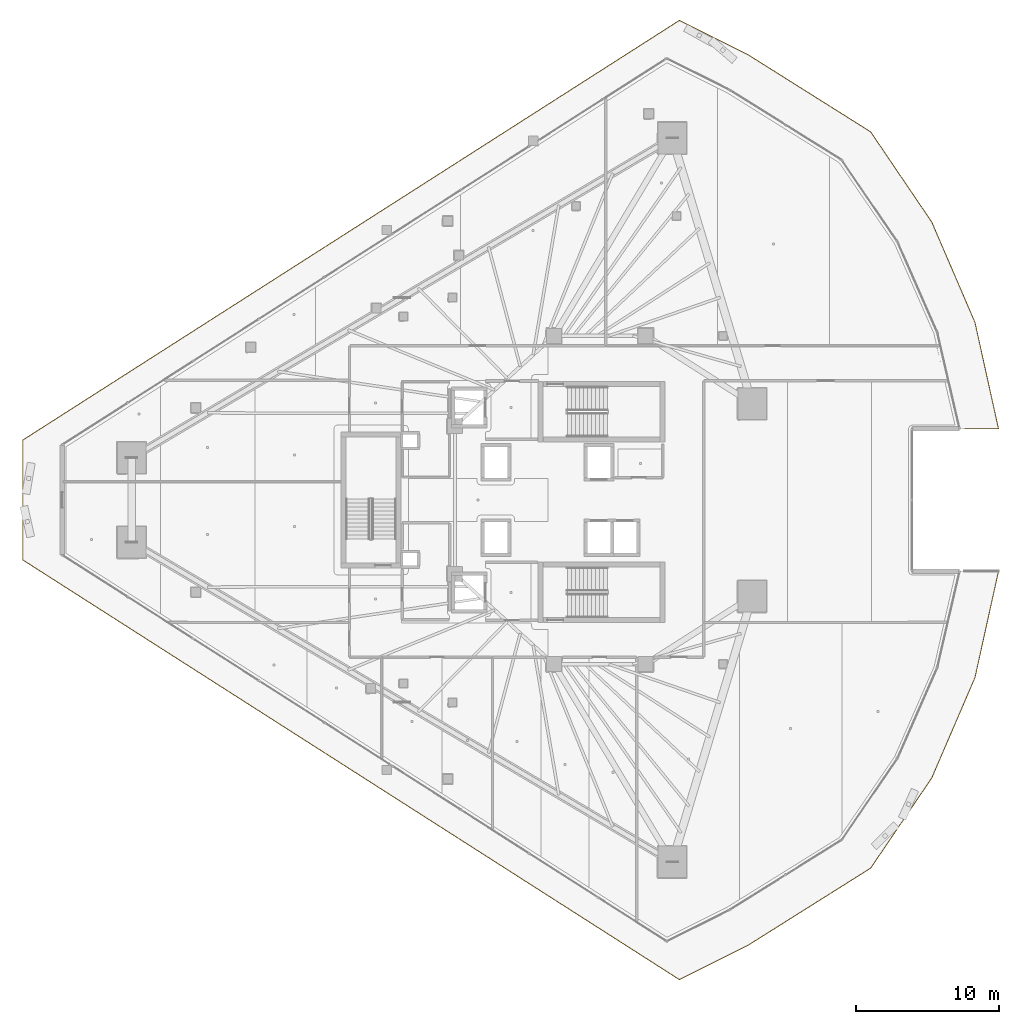
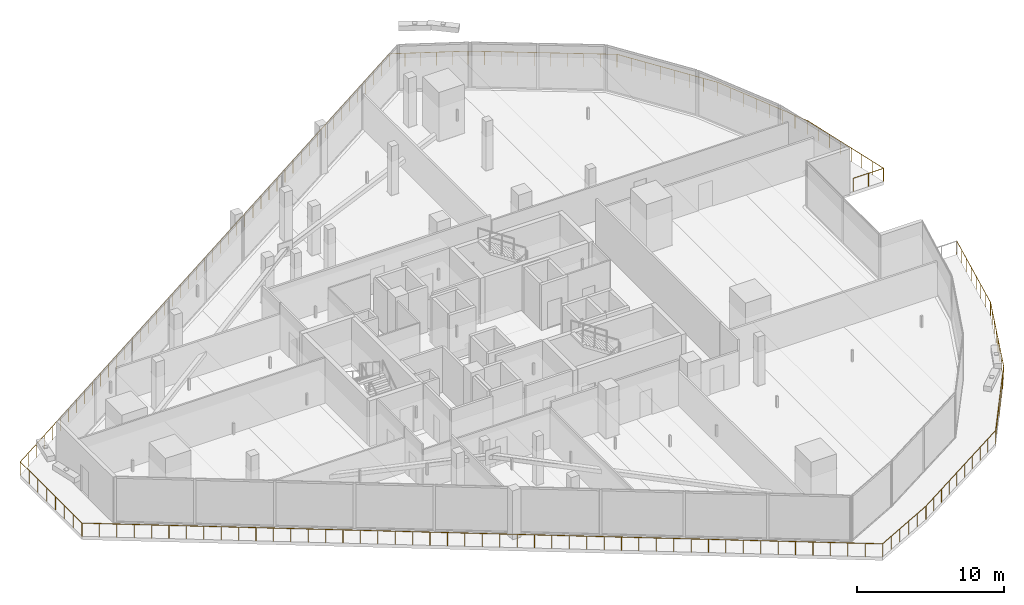
# One storey, part 41 of 45: 1 railing.
"""IFC4 building model written with IfcOpenShell, lengths in metres."""

from ifc_helpers import new_model, si_unit, direction, frame, origin, origin_2d, place, context, subcontext, project, spatial, circle, extrude, material, type_object, element, save


model = new_model("IFC4")

# Units and contexts
model_context = context("Model", 3, precision=1e-05, world=origin(), true_north=direction((0.0, 1.0)))
body_context = subcontext(model_context, "Body", "Model", "MODEL_VIEW")
ifc_project = project(units=[si_unit("LENGTHUNIT", "METRE"), si_unit("AREAUNIT", "SQUARE_METRE"), si_unit("VOLUMEUNIT", "CUBIC_METRE"), si_unit("PLANEANGLEUNIT", "RADIAN"), si_unit("MASSUNIT", "GRAM", prefix="KILO")], contexts=[model_context])

# Site, building, storey
site_placement = place(None, origin())
site = spatial("IfcSite", under=ifc_project, at=site_placement, CompositionType="ELEMENT")
building_placement = place(site_placement, origin())
building = spatial("IfcBuilding", under=site, at=building_placement, Name="Qorvath Tower", CompositionType="ELEMENT")
storey_placement = place(building_placement, frame((0.0, 0.0, 126.0)))
storey = spatial("IfcBuildingStorey", under=building, at=storey_placement, Name="L28", CompositionType="ELEMENT", Elevation=126.0)

# Railing
ifc_material = material(Name="Laminated safety glass and stainless steel AISI 316", Category="steel")
railing_type = type_object("IfcRailingType", Name="RL-EXT-GRD", PredefinedType="GUARDRAIL", material=ifc_material)
railing_placement = place(storey_placement, frame((7.4150390625, -4.968017578125, 0.0)))
element("IfcRailing", 1, at=railing_placement, inside=storey, type_object=railing_type, Name="Loggia Perimeter Guardrail L28-1.1", PredefinedType="GUARDRAIL", context=body_context, shape_type="SweptSolid", body=[
    extrude(circle(Radius=0.02392578125, at=origin_2d()), frame((0.0, 0.0, 1.09619140625), z_axis=(-0.216101297226, -0.976370948634, 0.0), x_axis=(0.976370948634, -0.216101297226, 0.0)), (0.0, 0.0, 1.0), 7.607666015625),
    extrude(circle(Radius=0.02392578125, at=origin_2d()), frame((-1.64404296875, -7.427978515625, 1.09619140625), z_axis=(-0.395471886854, -0.918478081779, 0.0), x_axis=(0.918478081779, -0.395471886854, 0.0)), (0.0, 0.0, 1.0), 7.607421875),
    extrude(circle(Radius=0.02392578125, at=origin_2d()), frame((-4.652587890625, -14.415283203125, 1.09619140625), z_axis=(-0.560831824611, -0.827929746116, 0.0), x_axis=(0.827929746116, -0.560831824611, 0.0)), (0.0, 0.0, 1.0), 7.607666015625),
    extrude(circle(Radius=0.02392578125, at=origin_2d()), frame((-8.919189453125, -20.7138671875, 1.09619140625), z_axis=(-0.846499520237, -0.532389483592, 0.0), x_axis=(0.532389483592, -0.846499520237, 0.0)), (0.0, 0.0, 1.0), 10.11669921875),
    extrude(circle(Radius=0.02392578125, at=origin_2d()), frame((-17.48291015625, -26.099853515625, 1.09619140625), z_axis=(-0.894418053376, -0.447231870281, 0.0), x_axis=(0.447231870281, -0.894418053376, 0.0)), (0.0, 0.0, 1.0), 5.34375),
    extrude(circle(Radius=0.02392578125, at=origin_2d()), frame((-22.262451171875, -28.48974609375, 1.09619140625), z_axis=(-0.842602631353, 0.538535797916, 0.0), x_axis=(-0.538535797916, -0.842602631353, 0.0)), (0.0, 0.0, 1.0), 54.361572265625),
    extrude(circle(Radius=0.02392578125, at=origin_2d()), frame((-68.067626953125, 0.785888671875, 1.09619140625), z_axis=(0.0, 1.0, 0.0), x_axis=(-1.0, 0.0, 0.0)), (0.0, 0.0, 1.0), 8.3642578125),
    extrude(circle(Radius=0.02392578125, at=origin_2d()), frame((-68.067626953125, 9.150146484375, 1.09619140625), z_axis=(0.842602631353, 0.538535797916, 0.0), x_axis=(-0.538535797916, 0.842602631353, 0.0)), (0.0, 0.0, 1.0), 54.361572265625),
    extrude(circle(Radius=0.02392578125, at=origin_2d()), frame((-22.262451171875, 38.42578125, 1.09619140625), z_axis=(0.894418053376, -0.447231870281, 0.0), x_axis=(0.447231870281, 0.894418053376, 0.0)), (0.0, 0.0, 1.0), 5.34375),
    extrude(circle(Radius=0.02392578125, at=origin_2d()), frame((-17.48291015625, 36.035888671875, 1.09619140625), z_axis=(0.846499520237, -0.532389483592, 0.0), x_axis=(0.532389483592, 0.846499520237, 0.0)), (0.0, 0.0, 1.0), 10.11669921875),
    extrude(circle(Radius=0.02392578125, at=origin_2d()), frame((-8.919189453125, 30.64990234375, 1.09619140625), z_axis=(0.560831824611, -0.827929746116, 0.0), x_axis=(0.827929746116, 0.560831824611, 0.0)), (0.0, 0.0, 1.0), 7.607666015625),
    extrude(circle(Radius=0.02392578125, at=origin_2d()), frame((-4.652587890625, 24.351318359375, 1.09619140625), z_axis=(0.395471886854, -0.918478081779, 0.0), x_axis=(0.918478081779, 0.395471886854, 0.0)), (0.0, 0.0, 1.0), 7.607421875),
    extrude(circle(Radius=0.02392578125, at=origin_2d()), frame((-1.64404296875, 17.364013671875, 1.09619140625), z_axis=(0.216101297226, -0.976370948634, 0.0), x_axis=(0.976370948634, 0.216101297226, 0.0)), (0.0, 0.0, 1.0), 7.607666015625),
    extrude(circle(Radius=0.02392578125, at=origin_2d()), frame((0.0, 9.93603515625, 1.09619140625), z_axis=(-1.0, 0.0, 0.0), x_axis=(0.0, -1.0, 0.0)), (0.0, 0.0, 1.0), 2.366455078125),
    extrude(circle(Radius=0.02099609375, at=origin_2d()), origin(), (0.0, 0.0, 1.0), 1.072021484375),
    extrude(circle(Radius=0.02099609375, at=origin_2d()), frame((-0.23486328125, -1.06103515625, 0.0)), (0.0, 0.0, 1.0), 1.072021484375),
    extrude(circle(Radius=0.02099609375, at=origin_2d()), frame((-0.4697265625, -2.122314453125, 0.0)), (0.0, 0.0, 1.0), 1.072021484375),
    extrude(circle(Radius=0.02099609375, at=origin_2d()), frame((-0.70458984375, -3.183349609375, 0.0)), (0.0, 0.0, 1.0), 1.072021484375),
    extrude(circle(Radius=0.02099609375, at=origin_2d()), frame((-0.939453125, -4.24462890625, 0.0)), (0.0, 0.0, 1.0), 1.072021484375),
    extrude(circle(Radius=0.02099609375, at=origin_2d()), frame((-1.17431640625, -5.3056640625, 0.0)), (0.0, 0.0, 1.0), 1.072021484375),
    extrude(circle(Radius=0.02099609375, at=origin_2d()), frame((-1.4091796875, -6.366943359375, 0.0)), (0.0, 0.0, 1.0), 1.072021484375),
    extrude(circle(Radius=0.02099609375, at=origin_2d()), frame((-1.64404296875, -7.427978515625, 0.0)), (0.0, 0.0, 1.0), 1.072021484375),
    extrude(circle(Radius=0.02099609375, at=origin_2d()), frame((-2.07373046875, -8.42626953125, 0.0)), (0.0, 0.0, 1.0), 1.072021484375),
    extrude(circle(Radius=0.02099609375, at=origin_2d()), frame((-2.503662109375, -9.42431640625, 0.0)), (0.0, 0.0, 1.0), 1.072021484375),
    extrude(circle(Radius=0.02099609375, at=origin_2d()), frame((-2.933349609375, -10.422607421875, 0.0)), (0.0, 0.0, 1.0), 1.072021484375),
    extrude(circle(Radius=0.02099609375, at=origin_2d()), frame((-3.36328125, -11.420654296875, 0.0)), (0.0, 0.0, 1.0), 1.072021484375),
    extrude(circle(Radius=0.02099609375, at=origin_2d()), frame((-3.79296875, -12.4189453125, 0.0)), (0.0, 0.0, 1.0), 1.072021484375),
    extrude(circle(Radius=0.02099609375, at=origin_2d()), frame((-4.222900390625, -13.4169921875, 0.0)), (0.0, 0.0, 1.0), 1.072021484375),
    extrude(circle(Radius=0.02099609375, at=origin_2d()), frame((-4.652587890625, -14.415283203125, 0.0)), (0.0, 0.0, 1.0), 1.072021484375),
    extrude(circle(Radius=0.02099609375, at=origin_2d()), frame((-5.26220703125, -15.315185546875, 0.0)), (0.0, 0.0, 1.0), 1.072021484375),
    extrude(circle(Radius=0.02099609375, at=origin_2d()), frame((-5.87158203125, -16.21484375, 0.0)), (0.0, 0.0, 1.0), 1.072021484375),
    extrude(circle(Radius=0.02099609375, at=origin_2d()), frame((-6.481201171875, -17.11474609375, 0.0)), (0.0, 0.0, 1.0), 1.072021484375),
    extrude(circle(Radius=0.02099609375, at=origin_2d()), frame((-7.090576171875, -18.014404296875, 0.0)), (0.0, 0.0, 1.0), 1.072021484375),
    extrude(circle(Radius=0.02099609375, at=origin_2d()), frame((-7.7001953125, -18.914306640625, 0.0)), (0.0, 0.0, 1.0), 1.072021484375),
    extrude(circle(Radius=0.02099609375, at=origin_2d()), frame((-8.3095703125, -19.81396484375, 0.0)), (0.0, 0.0, 1.0), 1.072021484375),
    extrude(circle(Radius=0.02099609375, at=origin_2d()), frame((-8.919189453125, -20.7138671875, 0.0)), (0.0, 0.0, 1.0), 1.072021484375),
    extrude(circle(Radius=0.02099609375, at=origin_2d()), frame((-9.87060546875, -21.312255859375, 0.0)), (0.0, 0.0, 1.0), 1.072021484375),
    extrude(circle(Radius=0.02099609375, at=origin_2d()), frame((-10.822265625, -21.91064453125, 0.0)), (0.0, 0.0, 1.0), 1.072021484375),
    extrude(circle(Radius=0.02099609375, at=origin_2d()), frame((-11.773681640625, -22.50927734375, 0.0)), (0.0, 0.0, 1.0), 1.072021484375),
    extrude(circle(Radius=0.02099609375, at=origin_2d()), frame((-12.725341796875, -23.107666015625, 0.0)), (0.0, 0.0, 1.0), 1.072021484375),
    extrude(circle(Radius=0.02099609375, at=origin_2d()), frame((-13.6767578125, -23.7060546875, 0.0)), (0.0, 0.0, 1.0), 1.072021484375),
    extrude(circle(Radius=0.02099609375, at=origin_2d()), frame((-14.62841796875, -24.304443359375, 0.0)), (0.0, 0.0, 1.0), 1.072021484375),
    extrude(circle(Radius=0.02099609375, at=origin_2d()), frame((-15.579833984375, -24.903076171875, 0.0)), (0.0, 0.0, 1.0), 1.072021484375),
    extrude(circle(Radius=0.02099609375, at=origin_2d()), frame((-16.531494140625, -25.50146484375, 0.0)), (0.0, 0.0, 1.0), 1.072021484375),
    extrude(circle(Radius=0.02099609375, at=origin_2d()), frame((-17.48291015625, -26.099853515625, 0.0)), (0.0, 0.0, 1.0), 1.072021484375),
    extrude(circle(Radius=0.02099609375, at=origin_2d()), frame((-18.438720703125, -26.577880859375, 0.0)), (0.0, 0.0, 1.0), 1.072021484375),
    extrude(circle(Radius=0.02099609375, at=origin_2d()), frame((-19.394775390625, -27.055908203125, 0.0)), (0.0, 0.0, 1.0), 1.072021484375),
    extrude(circle(Radius=0.02099609375, at=origin_2d()), frame((-20.3505859375, -27.53369140625, 0.0)), (0.0, 0.0, 1.0), 1.072021484375),
    extrude(circle(Radius=0.02099609375, at=origin_2d()), frame((-21.306640625, -28.01171875, 0.0)), (0.0, 0.0, 1.0), 1.072021484375),
    extrude(circle(Radius=0.02099609375, at=origin_2d()), frame((-22.262451171875, -28.48974609375, 0.0)), (0.0, 0.0, 1.0), 1.072021484375),
    extrude(circle(Radius=0.02099609375, at=origin_2d()), frame((-23.25830078125, -27.853271484375, 0.0)), (0.0, 0.0, 1.0), 1.072021484375),
    extrude(circle(Radius=0.02099609375, at=origin_2d()), frame((-24.25390625, -27.216796875, 0.0)), (0.0, 0.0, 1.0), 1.072021484375),
    extrude(circle(Radius=0.02099609375, at=origin_2d()), frame((-25.249755859375, -26.58056640625, 0.0)), (0.0, 0.0, 1.0), 1.072021484375),
    extrude(circle(Radius=0.02099609375, at=origin_2d()), frame((-26.24560546875, -25.944091796875, 0.0)), (0.0, 0.0, 1.0), 1.072021484375),
    extrude(circle(Radius=0.02099609375, at=origin_2d()), frame((-27.2412109375, -25.3076171875, 0.0)), (0.0, 0.0, 1.0), 1.072021484375),
    extrude(circle(Radius=0.02099609375, at=origin_2d()), frame((-28.237060546875, -24.671142578125, 0.0)), (0.0, 0.0, 1.0), 1.072021484375),
    extrude(circle(Radius=0.02099609375, at=origin_2d()), frame((-29.23291015625, -24.03466796875, 0.0)), (0.0, 0.0, 1.0), 1.072021484375),
    extrude(circle(Radius=0.02099609375, at=origin_2d()), frame((-30.228515625, -23.3984375, 0.0)), (0.0, 0.0, 1.0), 1.072021484375),
    extrude(circle(Radius=0.02099609375, at=origin_2d()), frame((-31.224365234375, -22.761962890625, 0.0)), (0.0, 0.0, 1.0), 1.072021484375),
    extrude(circle(Radius=0.02099609375, at=origin_2d()), frame((-32.22021484375, -22.12548828125, 0.0)), (0.0, 0.0, 1.0), 1.072021484375),
    extrude(circle(Radius=0.02099609375, at=origin_2d()), frame((-33.2158203125, -21.489013671875, 0.0)), (0.0, 0.0, 1.0), 1.072021484375),
    extrude(circle(Radius=0.02099609375, at=origin_2d()), frame((-34.211669921875, -20.8525390625, 0.0)), (0.0, 0.0, 1.0), 1.072021484375),
    extrude(circle(Radius=0.02099609375, at=origin_2d()), frame((-35.207275390625, -20.21630859375, 0.0)), (0.0, 0.0, 1.0), 1.072021484375),
    extrude(circle(Radius=0.02099609375, at=origin_2d()), frame((-36.203125, -19.579833984375, 0.0)), (0.0, 0.0, 1.0), 1.072021484375),
    extrude(circle(Radius=0.02099609375, at=origin_2d()), frame((-37.198974609375, -18.943359375, 0.0)), (0.0, 0.0, 1.0), 1.072021484375),
    extrude(circle(Radius=0.02099609375, at=origin_2d()), frame((-38.194580078125, -18.306884765625, 0.0)), (0.0, 0.0, 1.0), 1.072021484375),
    extrude(circle(Radius=0.02099609375, at=origin_2d()), frame((-39.1904296875, -17.67041015625, 0.0)), (0.0, 0.0, 1.0), 1.072021484375),
    extrude(circle(Radius=0.02099609375, at=origin_2d()), frame((-40.186279296875, -17.0341796875, 0.0)), (0.0, 0.0, 1.0), 1.072021484375),
    extrude(circle(Radius=0.02099609375, at=origin_2d()), frame((-41.181884765625, -16.397705078125, 0.0)), (0.0, 0.0, 1.0), 1.072021484375),
    extrude(circle(Radius=0.02099609375, at=origin_2d()), frame((-42.177734375, -15.76123046875, 0.0)), (0.0, 0.0, 1.0), 1.072021484375),
    extrude(circle(Radius=0.02099609375, at=origin_2d()), frame((-43.173583984375, -15.124755859375, 0.0)), (0.0, 0.0, 1.0), 1.072021484375),
    extrude(circle(Radius=0.02099609375, at=origin_2d()), frame((-44.169189453125, -14.48828125, 0.0)), (0.0, 0.0, 1.0), 1.072021484375),
    extrude(circle(Radius=0.02099609375, at=origin_2d()), frame((-45.1650390625, -13.85205078125, 0.0)), (0.0, 0.0, 1.0), 1.072021484375),
    extrude(circle(Radius=0.02099609375, at=origin_2d()), frame((-46.160888671875, -13.215576171875, 0.0)), (0.0, 0.0, 1.0), 1.072021484375),
    extrude(circle(Radius=0.02099609375, at=origin_2d()), frame((-47.156494140625, -12.5791015625, 0.0)), (0.0, 0.0, 1.0), 1.072021484375),
    extrude(circle(Radius=0.02099609375, at=origin_2d()), frame((-48.15234375, -11.942626953125, 0.0)), (0.0, 0.0, 1.0), 1.072021484375),
    extrude(circle(Radius=0.02099609375, at=origin_2d()), frame((-49.148193359375, -11.30615234375, 0.0)), (0.0, 0.0, 1.0), 1.072021484375),
    extrude(circle(Radius=0.02099609375, at=origin_2d()), frame((-50.143798828125, -10.669677734375, 0.0)), (0.0, 0.0, 1.0), 1.072021484375),
    extrude(circle(Radius=0.02099609375, at=origin_2d()), frame((-51.1396484375, -10.033447265625, 0.0)), (0.0, 0.0, 1.0), 1.072021484375),
    extrude(circle(Radius=0.02099609375, at=origin_2d()), frame((-52.135498046875, -9.39697265625, 0.0)), (0.0, 0.0, 1.0), 1.072021484375),
    extrude(circle(Radius=0.02099609375, at=origin_2d()), frame((-53.131103515625, -8.760498046875, 0.0)), (0.0, 0.0, 1.0), 1.072021484375),
    extrude(circle(Radius=0.02099609375, at=origin_2d()), frame((-54.126953125, -8.1240234375, 0.0)), (0.0, 0.0, 1.0), 1.072021484375),
    extrude(circle(Radius=0.02099609375, at=origin_2d()), frame((-55.122802734375, -7.487548828125, 0.0)), (0.0, 0.0, 1.0), 1.072021484375),
    extrude(circle(Radius=0.02099609375, at=origin_2d()), frame((-56.118408203125, -6.851318359375, 0.0)), (0.0, 0.0, 1.0), 1.072021484375),
    extrude(circle(Radius=0.02099609375, at=origin_2d()), frame((-57.1142578125, -6.21484375, 0.0)), (0.0, 0.0, 1.0), 1.072021484375),
    extrude(circle(Radius=0.02099609375, at=origin_2d()), frame((-58.10986328125, -5.578369140625, 0.0)), (0.0, 0.0, 1.0), 1.072021484375),
    extrude(circle(Radius=0.02099609375, at=origin_2d()), frame((-59.105712890625, -4.94189453125, 0.0)), (0.0, 0.0, 1.0), 1.072021484375),
    extrude(circle(Radius=0.02099609375, at=origin_2d()), frame((-60.1015625, -4.305419921875, 0.0)), (0.0, 0.0, 1.0), 1.072021484375),
    extrude(circle(Radius=0.02099609375, at=origin_2d()), frame((-61.09716796875, -3.669189453125, 0.0)), (0.0, 0.0, 1.0), 1.072021484375),
    extrude(circle(Radius=0.02099609375, at=origin_2d()), frame((-62.093017578125, -3.03271484375, 0.0)), (0.0, 0.0, 1.0), 1.072021484375),
    extrude(circle(Radius=0.02099609375, at=origin_2d()), frame((-63.0888671875, -2.396240234375, 0.0)), (0.0, 0.0, 1.0), 1.072021484375),
    extrude(circle(Radius=0.02099609375, at=origin_2d()), frame((-64.08447265625, -1.759765625, 0.0)), (0.0, 0.0, 1.0), 1.072021484375),
    extrude(circle(Radius=0.02099609375, at=origin_2d()), frame((-65.080322265625, -1.123291015625, 0.0)), (0.0, 0.0, 1.0), 1.072021484375),
    extrude(circle(Radius=0.02099609375, at=origin_2d()), frame((-66.076171875, -0.487060546875, 0.0)), (0.0, 0.0, 1.0), 1.072021484375),
    extrude(circle(Radius=0.02099609375, at=origin_2d()), frame((-67.07177734375, 0.1494140625, 0.0)), (0.0, 0.0, 1.0), 1.072021484375),
    extrude(circle(Radius=0.02099609375, at=origin_2d()), frame((-68.067626953125, 0.785888671875, 0.0)), (0.0, 0.0, 1.0), 1.072021484375),
    extrude(circle(Radius=0.02099609375, at=origin_2d()), frame((-68.067626953125, 1.980712890625, 0.0)), (0.0, 0.0, 1.0), 1.072021484375),
    extrude(circle(Radius=0.02099609375, at=origin_2d()), frame((-68.067626953125, 3.17578125, 0.0)), (0.0, 0.0, 1.0), 1.072021484375),
    extrude(circle(Radius=0.02099609375, at=origin_2d()), frame((-68.067626953125, 4.37060546875, 0.0)), (0.0, 0.0, 1.0), 1.072021484375),
    extrude(circle(Radius=0.02099609375, at=origin_2d()), frame((-68.067626953125, 5.5654296875, 0.0)), (0.0, 0.0, 1.0), 1.072021484375),
    extrude(circle(Radius=0.02099609375, at=origin_2d()), frame((-68.067626953125, 6.76025390625, 0.0)), (0.0, 0.0, 1.0), 1.072021484375),
    extrude(circle(Radius=0.02099609375, at=origin_2d()), frame((-68.067626953125, 7.955322265625, 0.0)), (0.0, 0.0, 1.0), 1.072021484375),
    extrude(circle(Radius=0.02099609375, at=origin_2d()), frame((-68.067626953125, 9.150146484375, 0.0)), (0.0, 0.0, 1.0), 1.072021484375),
    extrude(circle(Radius=0.02099609375, at=origin_2d()), frame((-67.07177734375, 9.78662109375, 0.0)), (0.0, 0.0, 1.0), 1.072021484375),
    extrude(circle(Radius=0.02099609375, at=origin_2d()), frame((-66.076171875, 10.423095703125, 0.0)), (0.0, 0.0, 1.0), 1.072021484375),
    extrude(circle(Radius=0.02099609375, at=origin_2d()), frame((-65.080322265625, 11.059326171875, 0.0)), (0.0, 0.0, 1.0), 1.072021484375),
    extrude(circle(Radius=0.02099609375, at=origin_2d()), frame((-64.08447265625, 11.69580078125, 0.0)), (0.0, 0.0, 1.0), 1.072021484375),
    extrude(circle(Radius=0.02099609375, at=origin_2d()), frame((-63.0888671875, 12.332275390625, 0.0)), (0.0, 0.0, 1.0), 1.072021484375),
    extrude(circle(Radius=0.02099609375, at=origin_2d()), frame((-62.093017578125, 12.96875, 0.0)), (0.0, 0.0, 1.0), 1.072021484375),
    extrude(circle(Radius=0.02099609375, at=origin_2d()), frame((-61.09716796875, 13.605224609375, 0.0)), (0.0, 0.0, 1.0), 1.072021484375),
    extrude(circle(Radius=0.02099609375, at=origin_2d()), frame((-60.1015625, 14.241455078125, 0.0)), (0.0, 0.0, 1.0), 1.072021484375),
    extrude(circle(Radius=0.02099609375, at=origin_2d()), frame((-59.105712890625, 14.8779296875, 0.0)), (0.0, 0.0, 1.0), 1.072021484375),
    extrude(circle(Radius=0.02099609375, at=origin_2d()), frame((-58.10986328125, 15.514404296875, 0.0)), (0.0, 0.0, 1.0), 1.072021484375),
    extrude(circle(Radius=0.02099609375, at=origin_2d()), frame((-57.1142578125, 16.15087890625, 0.0)), (0.0, 0.0, 1.0), 1.072021484375),
    extrude(circle(Radius=0.02099609375, at=origin_2d()), frame((-56.118408203125, 16.787353515625, 0.0)), (0.0, 0.0, 1.0), 1.072021484375),
    extrude(circle(Radius=0.02099609375, at=origin_2d()), frame((-55.122802734375, 17.423583984375, 0.0)), (0.0, 0.0, 1.0), 1.072021484375),
    extrude(circle(Radius=0.02099609375, at=origin_2d()), frame((-54.126953125, 18.06005859375, 0.0)), (0.0, 0.0, 1.0), 1.072021484375),
    extrude(circle(Radius=0.02099609375, at=origin_2d()), frame((-53.131103515625, 18.696533203125, 0.0)), (0.0, 0.0, 1.0), 1.072021484375),
    extrude(circle(Radius=0.02099609375, at=origin_2d()), frame((-52.135498046875, 19.3330078125, 0.0)), (0.0, 0.0, 1.0), 1.072021484375),
    extrude(circle(Radius=0.02099609375, at=origin_2d()), frame((-51.1396484375, 19.969482421875, 0.0)), (0.0, 0.0, 1.0), 1.072021484375),
    extrude(circle(Radius=0.02099609375, at=origin_2d()), frame((-50.143798828125, 20.605712890625, 0.0)), (0.0, 0.0, 1.0), 1.072021484375),
    extrude(circle(Radius=0.02099609375, at=origin_2d()), frame((-49.148193359375, 21.2421875, 0.0)), (0.0, 0.0, 1.0), 1.072021484375),
    extrude(circle(Radius=0.02099609375, at=origin_2d()), frame((-48.15234375, 21.878662109375, 0.0)), (0.0, 0.0, 1.0), 1.072021484375),
    extrude(circle(Radius=0.02099609375, at=origin_2d()), frame((-47.156494140625, 22.51513671875, 0.0)), (0.0, 0.0, 1.0), 1.072021484375),
    extrude(circle(Radius=0.02099609375, at=origin_2d()), frame((-46.160888671875, 23.151611328125, 0.0)), (0.0, 0.0, 1.0), 1.072021484375),
    extrude(circle(Radius=0.02099609375, at=origin_2d()), frame((-45.1650390625, 23.7880859375, 0.0)), (0.0, 0.0, 1.0), 1.072021484375),
    extrude(circle(Radius=0.02099609375, at=origin_2d()), frame((-44.169189453125, 24.42431640625, 0.0)), (0.0, 0.0, 1.0), 1.072021484375),
    extrude(circle(Radius=0.02099609375, at=origin_2d()), frame((-43.173583984375, 25.060791015625, 0.0)), (0.0, 0.0, 1.0), 1.072021484375),
    extrude(circle(Radius=0.02099609375, at=origin_2d()), frame((-42.177734375, 25.697265625, 0.0)), (0.0, 0.0, 1.0), 1.072021484375),
    extrude(circle(Radius=0.02099609375, at=origin_2d()), frame((-41.181884765625, 26.333740234375, 0.0)), (0.0, 0.0, 1.0), 1.072021484375),
    extrude(circle(Radius=0.02099609375, at=origin_2d()), frame((-40.186279296875, 26.97021484375, 0.0)), (0.0, 0.0, 1.0), 1.072021484375),
    extrude(circle(Radius=0.02099609375, at=origin_2d()), frame((-39.1904296875, 27.6064453125, 0.0)), (0.0, 0.0, 1.0), 1.072021484375),
    extrude(circle(Radius=0.02099609375, at=origin_2d()), frame((-38.194580078125, 28.242919921875, 0.0)), (0.0, 0.0, 1.0), 1.072021484375),
    extrude(circle(Radius=0.02099609375, at=origin_2d()), frame((-37.198974609375, 28.87939453125, 0.0)), (0.0, 0.0, 1.0), 1.072021484375),
    extrude(circle(Radius=0.02099609375, at=origin_2d()), frame((-36.203125, 29.515869140625, 0.0)), (0.0, 0.0, 1.0), 1.072021484375),
    extrude(circle(Radius=0.02099609375, at=origin_2d()), frame((-35.207275390625, 30.15234375, 0.0)), (0.0, 0.0, 1.0), 1.072021484375),
    extrude(circle(Radius=0.02099609375, at=origin_2d()), frame((-34.211669921875, 30.78857421875, 0.0)), (0.0, 0.0, 1.0), 1.072021484375),
    extrude(circle(Radius=0.02099609375, at=origin_2d()), frame((-33.2158203125, 31.425048828125, 0.0)), (0.0, 0.0, 1.0), 1.072021484375),
    extrude(circle(Radius=0.02099609375, at=origin_2d()), frame((-32.22021484375, 32.0615234375, 0.0)), (0.0, 0.0, 1.0), 1.072021484375),
    extrude(circle(Radius=0.02099609375, at=origin_2d()), frame((-31.224365234375, 32.697998046875, 0.0)), (0.0, 0.0, 1.0), 1.072021484375),
    extrude(circle(Radius=0.02099609375, at=origin_2d()), frame((-30.228515625, 33.33447265625, 0.0)), (0.0, 0.0, 1.0), 1.072021484375),
    extrude(circle(Radius=0.02099609375, at=origin_2d()), frame((-29.23291015625, 33.970703125, 0.0)), (0.0, 0.0, 1.0), 1.072021484375),
    extrude(circle(Radius=0.02099609375, at=origin_2d()), frame((-28.237060546875, 34.607177734375, 0.0)), (0.0, 0.0, 1.0), 1.072021484375),
    extrude(circle(Radius=0.02099609375, at=origin_2d()), frame((-27.2412109375, 35.24365234375, 0.0)), (0.0, 0.0, 1.0), 1.072021484375),
    extrude(circle(Radius=0.02099609375, at=origin_2d()), frame((-26.24560546875, 35.880126953125, 0.0)), (0.0, 0.0, 1.0), 1.072021484375),
    extrude(circle(Radius=0.02099609375, at=origin_2d()), frame((-25.249755859375, 36.5166015625, 0.0)), (0.0, 0.0, 1.0), 1.072021484375),
    extrude(circle(Radius=0.02099609375, at=origin_2d()), frame((-24.25390625, 37.15283203125, 0.0)), (0.0, 0.0, 1.0), 1.072021484375),
    extrude(circle(Radius=0.02099609375, at=origin_2d()), frame((-23.25830078125, 37.789306640625, 0.0)), (0.0, 0.0, 1.0), 1.072021484375),
    extrude(circle(Radius=0.02099609375, at=origin_2d()), frame((-22.262451171875, 38.42578125, 0.0)), (0.0, 0.0, 1.0), 1.072021484375),
    extrude(circle(Radius=0.02099609375, at=origin_2d()), frame((-21.306640625, 37.94775390625, 0.0)), (0.0, 0.0, 1.0), 1.072021484375),
    extrude(circle(Radius=0.02099609375, at=origin_2d()), frame((-20.3505859375, 37.4697265625, 0.0)), (0.0, 0.0, 1.0), 1.072021484375),
    extrude(circle(Radius=0.02099609375, at=origin_2d()), frame((-19.394775390625, 36.991943359375, 0.0)), (0.0, 0.0, 1.0), 1.072021484375),
    extrude(circle(Radius=0.02099609375, at=origin_2d()), frame((-18.438720703125, 36.513916015625, 0.0)), (0.0, 0.0, 1.0), 1.072021484375),
    extrude(circle(Radius=0.02099609375, at=origin_2d()), frame((-17.48291015625, 36.035888671875, 0.0)), (0.0, 0.0, 1.0), 1.072021484375),
    extrude(circle(Radius=0.02099609375, at=origin_2d()), frame((-16.531494140625, 35.4375, 0.0)), (0.0, 0.0, 1.0), 1.072021484375),
    extrude(circle(Radius=0.02099609375, at=origin_2d()), frame((-15.579833984375, 34.839111328125, 0.0)), (0.0, 0.0, 1.0), 1.072021484375),
    extrude(circle(Radius=0.02099609375, at=origin_2d()), frame((-14.62841796875, 34.240478515625, 0.0)), (0.0, 0.0, 1.0), 1.072021484375),
    extrude(circle(Radius=0.02099609375, at=origin_2d()), frame((-13.6767578125, 33.64208984375, 0.0)), (0.0, 0.0, 1.0), 1.072021484375),
    extrude(circle(Radius=0.02099609375, at=origin_2d()), frame((-12.725341796875, 33.043701171875, 0.0)), (0.0, 0.0, 1.0), 1.072021484375),
    extrude(circle(Radius=0.02099609375, at=origin_2d()), frame((-11.773681640625, 32.4453125, 0.0)), (0.0, 0.0, 1.0), 1.072021484375),
    extrude(circle(Radius=0.02099609375, at=origin_2d()), frame((-10.822265625, 31.8466796875, 0.0)), (0.0, 0.0, 1.0), 1.072021484375),
    extrude(circle(Radius=0.02099609375, at=origin_2d()), frame((-9.87060546875, 31.248291015625, 0.0)), (0.0, 0.0, 1.0), 1.072021484375),
    extrude(circle(Radius=0.02099609375, at=origin_2d()), frame((-8.919189453125, 30.64990234375, 0.0)), (0.0, 0.0, 1.0), 1.072021484375),
    extrude(circle(Radius=0.02099609375, at=origin_2d()), frame((-8.3095703125, 29.75, 0.0)), (0.0, 0.0, 1.0), 1.072021484375),
    extrude(circle(Radius=0.02099609375, at=origin_2d()), frame((-7.7001953125, 28.850341796875, 0.0)), (0.0, 0.0, 1.0), 1.072021484375),
    extrude(circle(Radius=0.02099609375, at=origin_2d()), frame((-7.090576171875, 27.950439453125, 0.0)), (0.0, 0.0, 1.0), 1.072021484375),
    extrude(circle(Radius=0.02099609375, at=origin_2d()), frame((-6.481201171875, 27.05078125, 0.0)), (0.0, 0.0, 1.0), 1.072021484375),
    extrude(circle(Radius=0.02099609375, at=origin_2d()), frame((-5.87158203125, 26.15087890625, 0.0)), (0.0, 0.0, 1.0), 1.072021484375),
    extrude(circle(Radius=0.02099609375, at=origin_2d()), frame((-5.26220703125, 25.251220703125, 0.0)), (0.0, 0.0, 1.0), 1.072021484375),
    extrude(circle(Radius=0.02099609375, at=origin_2d()), frame((-4.652587890625, 24.351318359375, 0.0)), (0.0, 0.0, 1.0), 1.072021484375),
    extrude(circle(Radius=0.02099609375, at=origin_2d()), frame((-4.222900390625, 23.35302734375, 0.0)), (0.0, 0.0, 1.0), 1.072021484375),
    extrude(circle(Radius=0.02099609375, at=origin_2d()), frame((-3.79296875, 22.35498046875, 0.0)), (0.0, 0.0, 1.0), 1.072021484375),
    extrude(circle(Radius=0.02099609375, at=origin_2d()), frame((-3.36328125, 21.356689453125, 0.0)), (0.0, 0.0, 1.0), 1.072021484375),
    extrude(circle(Radius=0.02099609375, at=origin_2d()), frame((-2.933349609375, 20.358642578125, 0.0)), (0.0, 0.0, 1.0), 1.072021484375),
    extrude(circle(Radius=0.02099609375, at=origin_2d()), frame((-2.503662109375, 19.3603515625, 0.0)), (0.0, 0.0, 1.0), 1.072021484375),
    extrude(circle(Radius=0.02099609375, at=origin_2d()), frame((-2.07373046875, 18.3623046875, 0.0)), (0.0, 0.0, 1.0), 1.072021484375),
    extrude(circle(Radius=0.02099609375, at=origin_2d()), frame((-1.64404296875, 17.364013671875, 0.0)), (0.0, 0.0, 1.0), 1.072021484375),
    extrude(circle(Radius=0.02099609375, at=origin_2d()), frame((-1.4091796875, 16.302978515625, 0.0)), (0.0, 0.0, 1.0), 1.072021484375),
    extrude(circle(Radius=0.02099609375, at=origin_2d()), frame((-1.17431640625, 15.24169921875, 0.0)), (0.0, 0.0, 1.0), 1.072021484375),
    extrude(circle(Radius=0.02099609375, at=origin_2d()), frame((-0.939453125, 14.1806640625, 0.0)), (0.0, 0.0, 1.0), 1.072021484375),
    extrude(circle(Radius=0.02099609375, at=origin_2d()), frame((-0.70458984375, 13.119384765625, 0.0)), (0.0, 0.0, 1.0), 1.072021484375),
    extrude(circle(Radius=0.02099609375, at=origin_2d()), frame((-0.4697265625, 12.058349609375, 0.0)), (0.0, 0.0, 1.0), 1.072021484375),
    extrude(circle(Radius=0.02099609375, at=origin_2d()), frame((-0.23486328125, 10.9970703125, 0.0)), (0.0, 0.0, 1.0), 1.072021484375),
    extrude(circle(Radius=0.02099609375, at=origin_2d()), frame((0.0, 9.93603515625, 0.0)), (0.0, 0.0, 1.0), 1.072021484375),
    extrude(circle(Radius=0.02099609375, at=origin_2d()), frame((-1.18310546875, 9.93603515625, 0.0)), (0.0, 0.0, 1.0), 1.072021484375),
    extrude(circle(Radius=0.02099609375, at=origin_2d()), frame((-2.366455078125, 9.93603515625, 0.0)), (0.0, 0.0, 1.0), 1.072021484375),
])

save(model, "model.ifc")
